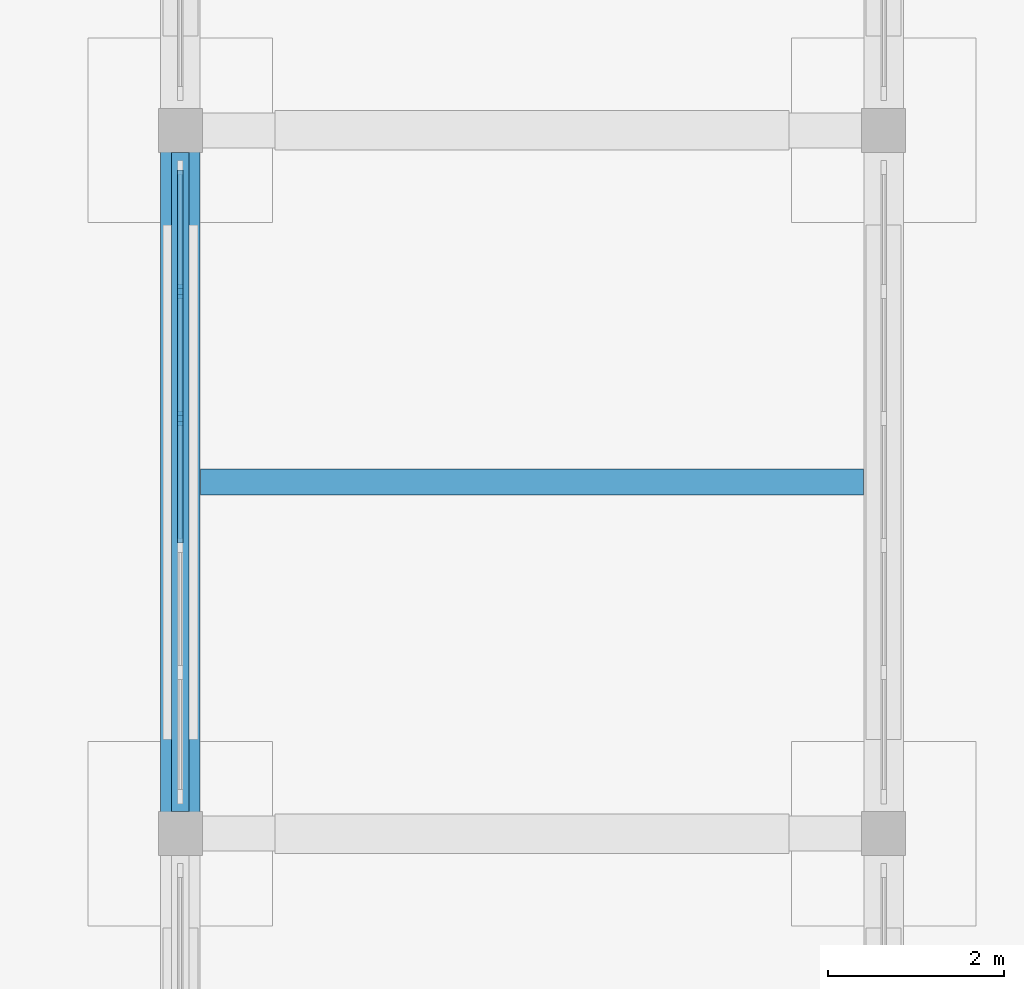
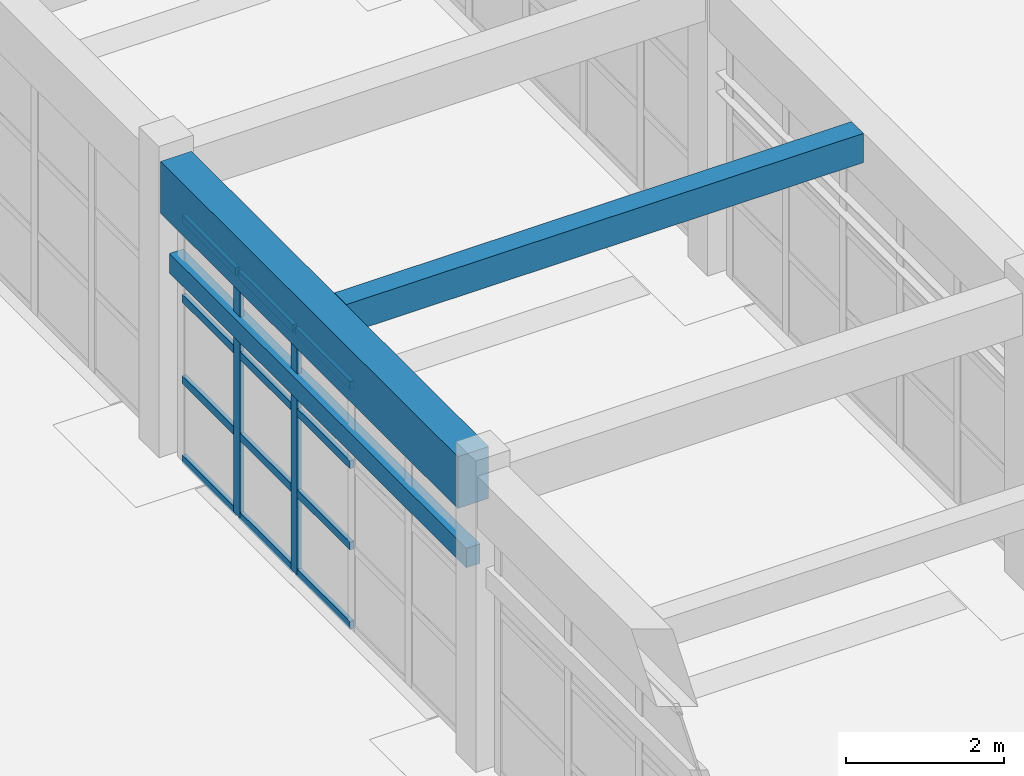
# One storey, part 22 of 68: 14 members, 3 beams, 1 element without a shape of its own.
"""IFC4 building model written with IfcOpenShell, lengths in metres."""

from ifc_helpers import new_model, si_unit, direction, frame, origin, origin_2d, place, context, subcontext, project, spatial, rectangle, extrude, material, material_profile, profile_set, type_object, element, aggregate, save


model = new_model("IFC4")

# Units and contexts
model_context = context("Model", 3, precision=1e-05, world=origin(), true_north=direction((0.0, 1.0)))
body_context = subcontext(model_context, "Body", "Model", "MODEL_VIEW")
ifc_project = project(units=[si_unit("LENGTHUNIT", "METRE"), si_unit("AREAUNIT", "SQUARE_METRE"), si_unit("VOLUMEUNIT", "CUBIC_METRE"), si_unit("PLANEANGLEUNIT", "RADIAN"), si_unit("MASSUNIT", "GRAM", prefix="KILO")], contexts=[model_context])

# Site, building, storey
site_placement = place(None, origin())
site = spatial("IfcSite", under=ifc_project, at=site_placement, CompositionType="ELEMENT")
building_placement = place(site_placement, origin())
building = spatial("IfcBuilding", under=site, at=building_placement, Name="Serraluz Foothill Cableway Terminal", CompositionType="ELEMENT")
storey_placement = place(building_placement, origin())
storey = spatial("IfcBuildingStorey", under=building, at=storey_placement, Name="L00", CompositionType="ELEMENT", Elevation=0.0)

# Beam
ifc_material_1 = material(Name="Concrete C35/45 (f'c 35 MPa)", Category="concrete")
ifc_material_profile_1 = material_profile(ifc_material_1, rectangle(XDim=0.449951171875, YDim=0.800048828125, at=origin_2d()), Name="RC 450x800")
ifc_profile_set_1 = profile_set([ifc_material_profile_1], Name="Concrete C35/45 (f'c 35 MPa)")
beam_type_1 = type_object("IfcBeamType", Name="TYP-BM-RC450X800", PredefinedType="BEAM", material=ifc_profile_set_1)
beam_1_placement = place(storey_placement, frame((120.0, 24.24609375, 4.159912109375), z_axis=(0.0, 1.0, 0.0), x_axis=(-1.0, 0.0, 0.0)))
element("IfcBeam", 1, at=beam_1_placement, inside=storey, type_object=beam_type_1, Name="Transverse Girder BM-Y-L00-0158", PredefinedType="BEAM", context=body_context, shape_type="SweptSolid", body=[
    extrude(rectangle(XDim=0.449951171875, YDim=0.800048828125, at=origin_2d()), origin(), (0.0, 0.0, 1.0), 7.5078125),
])

# Curtain wall, members
ifc_material_2 = material(Name="Architectural bronze alloy C28000", Category="aluminium")
curtain_wall_type = type_object("IfcCurtainWallType", Name="TYP-CW-710X420", PredefinedType="NOTDEFINED", material=ifc_material_2)
curtain_wall_placement = place(storey_placement, origin())
curtain_wall = element("IfcCurtainWall", 2, at=curtain_wall_placement, inside=storey, type_object=curtain_wall_type, Name="Ribbed Glazed Curtain Wall CW-CLW-L00-24", PredefinedType="NOTDEFINED")
ifc_material_profile_2 = material_profile(ifc_material_2, rectangle(XDim=0.06005859375, YDim=0.159912109375, at=origin_2d()), Name="ALU MULLION 60x160")
ifc_profile_set_2 = profile_set([ifc_material_profile_2], Name="Architectural bronze alloy C28000")
member_type_1 = type_object("IfcMemberType", Name="TYP-CW-MUL-60X160", PredefinedType="MULLION", material=ifc_profile_set_2)
member_1_placement = place(storey_placement, frame((120.0, 28.721923828125, 0.0), z_axis=(0.0, 0.0, 1.0), x_axis=(-1.0, 0.0, 0.0)))
member_1 = element("IfcMember", 3, at=member_1_placement, type_object=member_type_1, Name="CW-01 mullion 4", PredefinedType="MULLION", context=body_context, shape_type="SweptSolid", body=[
    extrude(rectangle(XDim=0.06005859375, YDim=0.159912109375, at=origin_2d()), origin(), (0.0, 0.0, 1.0), 3.760009765625),
])
member_2_placement = place(storey_placement, frame((120.0, 30.166015625, 0.0), z_axis=(0.0, 0.0, 1.0), x_axis=(-1.0, 0.0, 0.0)))
member_2 = element("IfcMember", 4, at=member_2_placement, type_object=member_type_1, Name="CW-01 mullion 5", PredefinedType="MULLION", context=body_context, shape_type="SweptSolid", body=[
    extrude(rectangle(XDim=0.06005859375, YDim=0.159912109375, at=origin_2d()), origin(), (0.0, 0.0, 1.0), 3.760009765625),
])
ifc_material_profile_3 = material_profile(ifc_material_2, rectangle(XDim=0.06005859375, YDim=0.1201171875, at=origin_2d()), Name="ALU TRANSOM 60x120")
ifc_profile_set_3 = profile_set([ifc_material_profile_3], Name="Architectural bronze alloy C28000")
member_type_2 = type_object("IfcMemberType", Name="TYP-CW-TRN-60X120", PredefinedType="USERDEFINED", material=ifc_profile_set_3)
member_3_placement = place(storey_placement, frame((120.0, 27.30810546875, 0.030029296875), z_axis=(0.0, 1.0, 0.0), x_axis=(-1.0, 0.0, 0.0)))
member_3 = element("IfcMember", 5, at=member_3_placement, type_object=member_type_2, Name="CW-01 transom 3.1", ObjectType="TRANSOM", PredefinedType="USERDEFINED", context=body_context, shape_type="SweptSolid", body=[
    extrude(rectangle(XDim=0.06005859375, YDim=0.1201171875, at=origin_2d()), origin(), (0.0, 0.0, 1.0), 1.3837890625),
])
member_4_placement = place(storey_placement, frame((120.0, 27.30810546875, 1.25341796875), z_axis=(0.0, 1.0, 0.0), x_axis=(-1.0, 0.0, 0.0)))
member_4 = element("IfcMember", 6, at=member_4_placement, type_object=member_type_2, Name="CW-01 transom 3.2", ObjectType="TRANSOM", PredefinedType="USERDEFINED", context=body_context, shape_type="SweptSolid", body=[
    extrude(rectangle(XDim=0.06005859375, YDim=0.1201171875, at=origin_2d()), origin(), (0.0, 0.0, 1.0), 1.3837890625),
])
member_5_placement = place(storey_placement, frame((120.0, 27.30810546875, 2.506591796875), z_axis=(0.0, 1.0, 0.0), x_axis=(-1.0, 0.0, 0.0)))
member_5 = element("IfcMember", 7, at=member_5_placement, type_object=member_type_2, Name="CW-01 transom 3.3", ObjectType="TRANSOM", PredefinedType="USERDEFINED", context=body_context, shape_type="SweptSolid", body=[
    extrude(rectangle(XDim=0.06005859375, YDim=0.1201171875, at=origin_2d()), origin(), (0.0, 0.0, 1.0), 1.3837890625),
])
member_6_placement = place(storey_placement, frame((120.0, 27.30810546875, 3.72998046875), z_axis=(0.0, 1.0, 0.0), x_axis=(-1.0, 0.0, 0.0)))
member_6 = element("IfcMember", 8, at=member_6_placement, type_object=member_type_2, Name="CW-01 transom 3.4", ObjectType="TRANSOM", PredefinedType="USERDEFINED", context=body_context, shape_type="SweptSolid", body=[
    extrude(rectangle(XDim=0.06005859375, YDim=0.1201171875, at=origin_2d()), origin(), (0.0, 0.0, 1.0), 1.3837890625),
])
member_7_placement = place(storey_placement, frame((120.0, 28.751953125, 0.030029296875), z_axis=(0.0, 1.0, 0.0), x_axis=(-1.0, 0.0, 0.0)))
member_7 = element("IfcMember", 9, at=member_7_placement, type_object=member_type_2, Name="CW-01 transom 4.1", ObjectType="TRANSOM", PredefinedType="USERDEFINED", context=body_context, shape_type="SweptSolid", body=[
    extrude(rectangle(XDim=0.06005859375, YDim=0.1201171875, at=origin_2d()), origin(), (0.0, 0.0, 1.0), 1.384033203125),
])
member_8_placement = place(storey_placement, frame((120.0, 28.751953125, 1.25341796875), z_axis=(0.0, 1.0, 0.0), x_axis=(-1.0, 0.0, 0.0)))
member_8 = element("IfcMember", 10, at=member_8_placement, type_object=member_type_2, Name="CW-01 transom 4.2", ObjectType="TRANSOM", PredefinedType="USERDEFINED", context=body_context, shape_type="SweptSolid", body=[
    extrude(rectangle(XDim=0.06005859375, YDim=0.1201171875, at=origin_2d()), origin(), (0.0, 0.0, 1.0), 1.384033203125),
])
member_9_placement = place(storey_placement, frame((120.0, 28.751953125, 2.506591796875), z_axis=(0.0, 1.0, 0.0), x_axis=(-1.0, 0.0, 0.0)))
member_9 = element("IfcMember", 11, at=member_9_placement, type_object=member_type_2, Name="CW-01 transom 4.3", ObjectType="TRANSOM", PredefinedType="USERDEFINED", context=body_context, shape_type="SweptSolid", body=[
    extrude(rectangle(XDim=0.06005859375, YDim=0.1201171875, at=origin_2d()), origin(), (0.0, 0.0, 1.0), 1.384033203125),
])
member_10_placement = place(storey_placement, frame((120.0, 28.751953125, 3.72998046875), z_axis=(0.0, 1.0, 0.0), x_axis=(-1.0, 0.0, 0.0)))
member_10 = element("IfcMember", 12, at=member_10_placement, type_object=member_type_2, Name="CW-01 transom 4.4", ObjectType="TRANSOM", PredefinedType="USERDEFINED", context=body_context, shape_type="SweptSolid", body=[
    extrude(rectangle(XDim=0.06005859375, YDim=0.1201171875, at=origin_2d()), origin(), (0.0, 0.0, 1.0), 1.384033203125),
])
member_11_placement = place(storey_placement, frame((120.0, 30.196044921875, 0.030029296875), z_axis=(0.0, 1.0, 0.0), x_axis=(-1.0, 0.0, 0.0)))
member_11 = element("IfcMember", 13, at=member_11_placement, type_object=member_type_2, Name="CW-01 transom 5.1", ObjectType="TRANSOM", PredefinedType="USERDEFINED", context=body_context, shape_type="SweptSolid", body=[
    extrude(rectangle(XDim=0.06005859375, YDim=0.1201171875, at=origin_2d()), origin(), (0.0, 0.0, 1.0), 1.35400390625),
])
member_12_placement = place(storey_placement, frame((120.0, 30.196044921875, 1.25341796875), z_axis=(0.0, 1.0, 0.0), x_axis=(-1.0, 0.0, 0.0)))
member_12 = element("IfcMember", 14, at=member_12_placement, type_object=member_type_2, Name="CW-01 transom 5.2", ObjectType="TRANSOM", PredefinedType="USERDEFINED", context=body_context, shape_type="SweptSolid", body=[
    extrude(rectangle(XDim=0.06005859375, YDim=0.1201171875, at=origin_2d()), origin(), (0.0, 0.0, 1.0), 1.35400390625),
])
member_13_placement = place(storey_placement, frame((120.0, 30.196044921875, 2.506591796875), z_axis=(0.0, 1.0, 0.0), x_axis=(-1.0, 0.0, 0.0)))
member_13 = element("IfcMember", 15, at=member_13_placement, type_object=member_type_2, Name="CW-01 transom 5.3", ObjectType="TRANSOM", PredefinedType="USERDEFINED", context=body_context, shape_type="SweptSolid", body=[
    extrude(rectangle(XDim=0.06005859375, YDim=0.1201171875, at=origin_2d()), origin(), (0.0, 0.0, 1.0), 1.35400390625),
])
member_14_placement = place(storey_placement, frame((120.0, 30.196044921875, 3.72998046875), z_axis=(0.0, 1.0, 0.0), x_axis=(-1.0, 0.0, 0.0)))
member_14 = element("IfcMember", 16, at=member_14_placement, type_object=member_type_2, Name="CW-01 transom 5.4", ObjectType="TRANSOM", PredefinedType="USERDEFINED", context=body_context, shape_type="SweptSolid", body=[
    extrude(rectangle(XDim=0.06005859375, YDim=0.1201171875, at=origin_2d()), origin(), (0.0, 0.0, 1.0), 1.35400390625),
])
aggregate(curtain_wall, [member_1, member_2, member_3, member_4, member_5, member_6, member_7, member_8, member_9, member_10, member_11, member_12, member_13, member_14])

# Beams
ifc_material_3 = material(Name="Concrete C28/35 (f'c 28 MPa)", Category="concrete")
ifc_material_profile_4 = material_profile(ifc_material_3, rectangle(XDim=0.300048828125, YDim=0.449951171875, at=origin_2d()), Name="RC 300x450")
ifc_profile_set_4 = profile_set([ifc_material_profile_4], Name="Concrete C28/35 (f'c 28 MPa)")
beam_type_2 = type_object("IfcBeamType", Name="TYP-JS-RC300X450", PredefinedType="JOIST", material=ifc_profile_set_4)
beam_2_placement = place(storey_placement, frame((120.22998046875, 28.0, 4.3349609375), z_axis=(1.0, 0.0, 0.0), x_axis=(0.0, 1.0, 0.0)))
element("IfcBeam", 17, at=beam_2_placement, inside=storey, type_object=beam_type_2, Name="Secondary Floor Joist JS-L00-0050", PredefinedType="JOIST", context=body_context, shape_type="SweptSolid", body=[
    extrude(rectangle(XDim=0.300048828125, YDim=0.449951171875, at=origin_2d()), origin(), (0.0, 0.0, 1.0), 7.5400390625),
])
ifc_material_4 = material(Name="Precast concrete C40/50", Category="concrete")
ifc_material_profile_5 = material_profile(ifc_material_4, rectangle(XDim=0.199951171875, YDim=0.300048828125, at=origin_2d()), Name="RC LN 200x300")
ifc_profile_set_5 = profile_set([ifc_material_profile_5], Name="Precast concrete C40/50")
beam_type_3 = type_object("IfcBeamType", Name="TYP-LN-200X300", PredefinedType="LINTEL", material=ifc_profile_set_5)
beam_3_placement = place(storey_placement, frame((120.0, 24.25, 2.949951171875), z_axis=(0.0, 1.0, 0.0), x_axis=(-1.0, 0.0, 0.0)))
element("IfcBeam", 18, at=beam_3_placement, inside=storey, type_object=beam_type_3, Name="Arcade Portal Lintel LN-PORTAL-06", PredefinedType="LINTEL", context=body_context, shape_type="SweptSolid", body=[
    extrude(rectangle(XDim=0.199951171875, YDim=0.300048828125, at=origin_2d()), origin(), (0.0, 0.0, 1.0), 7.5),
])

save(model, "model.ifc")
